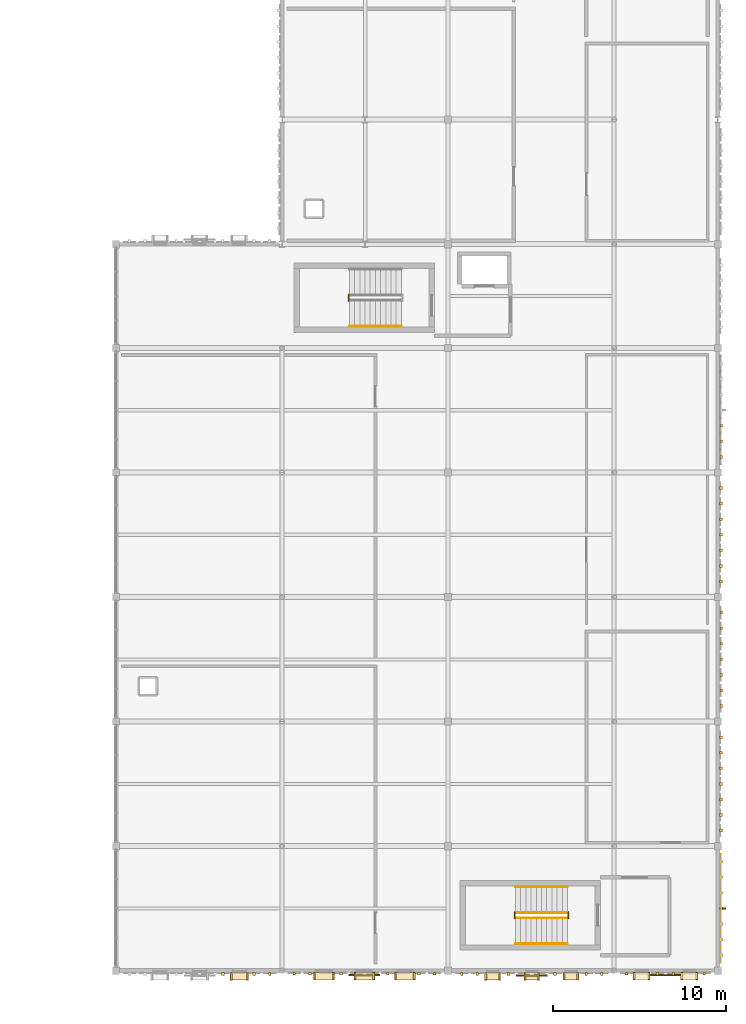
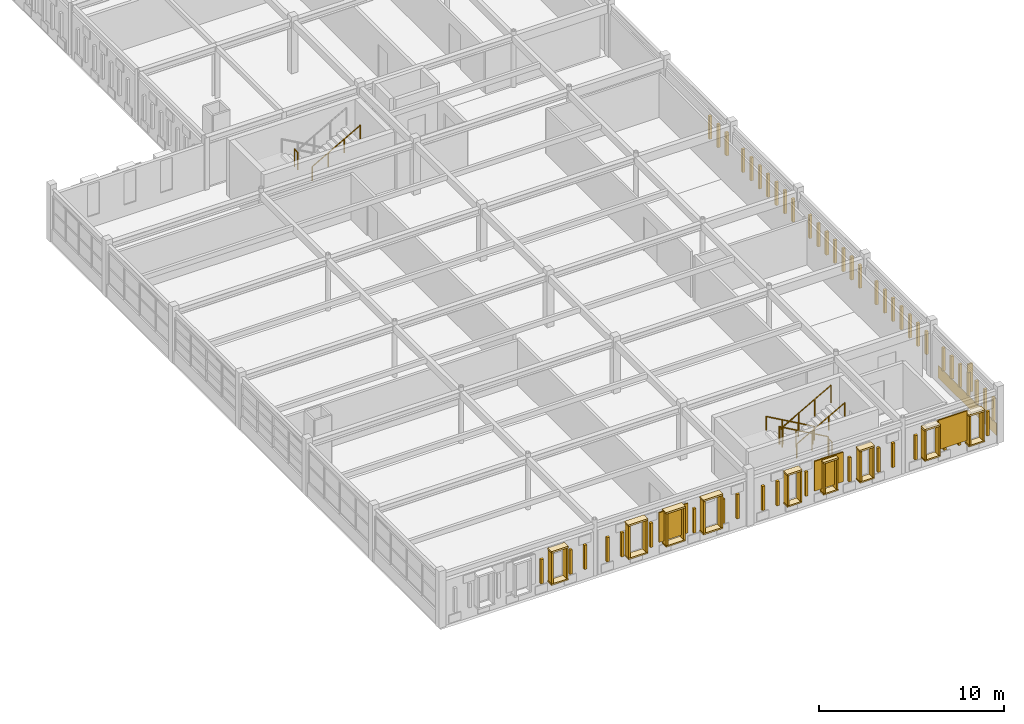
# One storey, part 40 of 46: 87 coverings, 8 railings, 4 shading devices.
"""IFC4 building model written with IfcOpenShell, lengths in metres."""

from ifc_helpers import new_model, si_unit, direction, frame, origin, origin_2d, place, context, subcontext, project, spatial, rectangle, circle, extrude, material, layer, layer_set, type_object, element, save


model = new_model("IFC4")

# Units and contexts
model_context = context("Model", 3, precision=1e-05, world=origin(), true_north=direction((0.0, 1.0)))
body_context = subcontext(model_context, "Body", "Model", "MODEL_VIEW")
ifc_project = project(units=[si_unit("LENGTHUNIT", "METRE"), si_unit("AREAUNIT", "SQUARE_METRE"), si_unit("VOLUMEUNIT", "CUBIC_METRE"), si_unit("PLANEANGLEUNIT", "RADIAN"), si_unit("MASSUNIT", "GRAM", prefix="KILO")], contexts=[model_context])

# Site, building, storey
site_placement = place(None, origin())
site = spatial("IfcSite", under=ifc_project, at=site_placement, CompositionType="ELEMENT")
building_placement = place(site_placement, origin())
building = spatial("IfcBuilding", under=site, at=building_placement, Name="Nzembalo Square Collegiate School", CompositionType="ELEMENT")
storey_placement = place(building_placement, frame((0.0, 0.0, 17.340087890625)))
storey = spatial("IfcBuildingStorey", under=building, at=storey_placement, Name="L04", CompositionType="ELEMENT", Elevation=17.340087890625)

# Coverings
ifc_material_1 = material(Name="Glazed cobalt ceramic patterned tile")
ifc_layer_1 = layer(ifc_material_1, 0.074951171875, Name="Glazed cobalt ceramic patterned tile")
ifc_layer_set_1 = layer_set([ifc_layer_1], Name="Glazed cobalt ceramic patterned tile")
covering_type_1 = type_object("IfcCoveringType", Name="CL01", PredefinedType="CLADDING", material=ifc_layer_set_1)
covering_1_placement = place(storey_placement, frame((165.737548828125, 12.0, 0.02001953125), z_axis=(0.0, 0.0, 1.0), x_axis=(1.0, 0.0, 0.0)))
element("IfcCovering", 1, at=covering_1_placement, inside=storey, type_object=covering_type_1, Name="Faience spandrel cladding CL01-0248", PredefinedType="CLADDING", context=body_context, shape_type="SweptSolid", body=[
    extrude(rectangle(XDim=0.034912109375, YDim=6.27587890625, at=origin_2d()), origin(), (0.0, 0.0, 1.0), 0.800048828125),
])
ifc_material_2 = material(Name="Glazed ochre ceramic lancet rib")
ifc_layer_2 = layer(ifc_material_2, 0.159912109375, Name="Glazed ochre ceramic lancet rib")
ifc_layer_set_2 = layer_set([ifc_layer_2], Name="Glazed ochre ceramic lancet rib")
covering_type_2 = type_object("IfcCoveringType", Name="CL02", PredefinedType="CLADDING", material=ifc_layer_set_2)
for number, where, z_axis, x_axis, name in (
    (2, (165.79248046875, 9.300048828125, 0.760009765625), (0.0, 0.0, 1.0), (1.0, 0.0, 0.0), "Gothic ceramic rib CL02-Y0248-0"),
    (3, (165.79248046875, 10.199951171875, 0.760009765625), (0.0, 0.0, 1.0), (1.0, 0.0, 0.0), "Gothic ceramic rib CL02-Y0248-1"),
    (4, (165.79248046875, 11.10009765625, 0.760009765625), (0.0, 0.0, 1.0), (1.0, 0.0, 0.0), "Gothic ceramic rib CL02-Y0248-2"),
    (5, (165.79248046875, 12.0, 0.760009765625), (0.0, 0.0, 1.0), (1.0, 0.0, 0.0), "Gothic ceramic rib CL02-Y0248-3"),
    (6, (165.79248046875, 12.89990234375, 0.760009765625), (0.0, 0.0, 1.0), (1.0, 0.0, 0.0), "Gothic ceramic rib CL02-Y0248-4"),
    (7, (165.79248046875, 13.800048828125, 0.760009765625), (0.0, 0.0, 1.0), (1.0, 0.0, 0.0), "Gothic ceramic rib CL02-Y0248-5"),
    (8, (165.79248046875, 14.699951171875, 0.760009765625), (0.0, 0.0, 1.0), (1.0, 0.0, 0.0), "Gothic ceramic rib CL02-Y0248-6"),
    (9, (165.777587890625, 16.5, 0.760009765625), (0.0, 0.0, 1.0), (1.0, 0.0, 0.0), "Gothic ceramic rib CL02-Y0249-0"),
    (10, (165.777587890625, 17.39990234375, 0.760009765625), (0.0, 0.0, 1.0), (1.0, 0.0, 0.0), "Gothic ceramic rib CL02-Y0249-1"),
    (11, (165.777587890625, 18.300048828125, 0.760009765625), (0.0, 0.0, 1.0), (1.0, 0.0, 0.0), "Gothic ceramic rib CL02-Y0249-2"),
    (12, (165.777587890625, 19.199951171875, 0.760009765625), (0.0, 0.0, 1.0), (1.0, 0.0, 0.0), "Gothic ceramic rib CL02-Y0249-3"),
    (13, (165.777587890625, 20.10009765625, 0.760009765625), (0.0, 0.0, 1.0), (1.0, 0.0, 0.0), "Gothic ceramic rib CL02-Y0249-4"),
    (14, (165.777587890625, 21.0, 0.760009765625), (0.0, 0.0, 1.0), (1.0, 0.0, 0.0), "Gothic ceramic rib CL02-Y0249-5"),
    (15, (165.777587890625, 21.89990234375, 0.760009765625), (0.0, 0.0, 1.0), (1.0, 0.0, 0.0), "Gothic ceramic rib CL02-Y0249-6"),
    (16, (165.79248046875, 23.699951171875, 0.760009765625), (0.0, 0.0, 1.0), (1.0, 0.0, 0.0), "Gothic ceramic rib CL02-Y0250-0"),
    (17, (165.79248046875, 24.60009765625, 0.760009765625), (0.0, 0.0, 1.0), (1.0, 0.0, 0.0), "Gothic ceramic rib CL02-Y0250-1"),
    (18, (165.79248046875, 25.5, 0.760009765625), (0.0, 0.0, 1.0), (1.0, 0.0, 0.0), "Gothic ceramic rib CL02-Y0250-2"),
    (19, (165.79248046875, 26.39990234375, 0.760009765625), (0.0, 0.0, 1.0), (1.0, 0.0, 0.0), "Gothic ceramic rib CL02-Y0250-3"),
    (20, (165.79248046875, 27.300048828125, 0.760009765625), (0.0, 0.0, 1.0), (1.0, 0.0, 0.0), "Gothic ceramic rib CL02-Y0250-4"),
    (21, (165.79248046875, 28.199951171875, 0.760009765625), (0.0, 0.0, 1.0), (1.0, 0.0, 0.0), "Gothic ceramic rib CL02-Y0250-5"),
    (22, (165.79248046875, 29.10009765625, 0.760009765625), (0.0, 0.0, 1.0), (1.0, 0.0, 0.0), "Gothic ceramic rib CL02-Y0250-6"),
    (23, (165.777587890625, 30.89990234375, 0.760009765625), (0.0, 0.0, 1.0), (1.0, 0.0, 0.0), "Gothic ceramic rib CL02-Y0251-0"),
    (24, (165.777587890625, 31.800048828125, 0.760009765625), (0.0, 0.0, 1.0), (1.0, 0.0, 0.0), "Gothic ceramic rib CL02-Y0251-1"),
    (25, (165.777587890625, 32.699951171875, 0.760009765625), (0.0, 0.0, 1.0), (1.0, 0.0, 0.0), "Gothic ceramic rib CL02-Y0251-2"),
    (26, (165.777587890625, 33.60009765625, 0.760009765625), (0.0, 0.0, 1.0), (1.0, 0.0, 0.0), "Gothic ceramic rib CL02-Y0251-3"),
    (27, (165.777587890625, 34.5, 0.760009765625), (0.0, 0.0, 1.0), (1.0, 0.0, 0.0), "Gothic ceramic rib CL02-Y0251-4"),
    (28, (165.777587890625, 35.39990234375, 0.760009765625), (0.0, 0.0, 1.0), (1.0, 0.0, 0.0), "Gothic ceramic rib CL02-Y0251-5"),
    (29, (165.777587890625, 36.300048828125, 0.760009765625), (0.0, 0.0, 1.0), (1.0, 0.0, 0.0), "Gothic ceramic rib CL02-Y0251-6"),
    (30, (165.79248046875, 38.10009765625, 0.760009765625), (0.0, 0.0, 1.0), (1.0, 0.0, 0.0), "Gothic ceramic rib CL02-Y0252-0"),
    (31, (165.79248046875, 39.0, 0.760009765625), (0.0, 0.0, 1.0), (1.0, 0.0, 0.0), "Gothic ceramic rib CL02-Y0252-1"),
    (32, (165.79248046875, 39.89990234375, 0.760009765625), (0.0, 0.0, 1.0), (1.0, 0.0, 0.0), "Gothic ceramic rib CL02-Y0252-2"),
):
    element("IfcCovering", number, at=place(storey_placement, frame(where, z_axis=z_axis, x_axis=x_axis)), inside=storey, type_object=covering_type_2, Name=name, PredefinedType="CLADDING", context=body_context, shape_type="SweptSolid", body=[
        extrude(rectangle(XDim=0.159912109375, YDim=0.159912109375, at=origin_2d()), origin(), (0.0, 0.0, 1.0), 1.51904296875),
    ])
for number, where, z_axis, x_axis, name in (
    (33, (136.98681640625, 8.20751953125, 0.759765625), (0.0, 0.0, 1.0), (1.0, 0.0, 0.0), "Gothic ceramic rib CL02-X0260-6"),
    (34, (138.78662109375, 8.20751953125, 0.759765625), (0.0, 0.0, 1.0), (1.0, 0.0, 0.0), "Gothic ceramic rib CL02-X0260-8"),
    (35, (139.686767578125, 8.20751953125, 0.759765625), (0.0, 0.0, 1.0), (1.0, 0.0, 0.0), "Gothic ceramic rib CL02-X0260-9"),
    (36, (141.11328125, 8.222412109375, 0.759765625), (0.0, 0.0, 1.0), (1.0, 0.0, 0.0), "Gothic ceramic rib CL02-X0261-0"),
    (37, (142.01318359375, 8.222412109375, 0.759765625), (0.0, 0.0, 1.0), (1.0, 0.0, 0.0), "Gothic ceramic rib CL02-X0261-1"),
    (38, (143.813232421875, 8.222412109375, 0.759765625), (0.0, 0.0, 1.0), (1.0, 0.0, 0.0), "Gothic ceramic rib CL02-X0261-3"),
    (39, (146.51318359375, 8.222412109375, 0.759765625), (0.0, 0.0, 1.0), (1.0, 0.0, 0.0), "Gothic ceramic rib CL02-X0261-6"),
    (40, (148.313232421875, 8.222412109375, 0.759765625), (0.0, 0.0, 1.0), (1.0, 0.0, 0.0), "Gothic ceramic rib CL02-X0261-8"),
    (41, (149.213134765625, 8.222412109375, 0.759765625), (0.0, 0.0, 1.0), (1.0, 0.0, 0.0), "Gothic ceramic rib CL02-X0261-9"),
    (42, (150.78662109375, 8.20751953125, 0.759765625), (0.0, 0.0, 1.0), (1.0, 0.0, 0.0), "Gothic ceramic rib CL02-X0262-0"),
    (43, (151.686767578125, 8.20751953125, 0.759765625), (0.0, 0.0, 1.0), (1.0, 0.0, 0.0), "Gothic ceramic rib CL02-X0262-1"),
    (44, (153.48681640625, 8.20751953125, 0.759765625), (0.0, 0.0, 1.0), (1.0, 0.0, 0.0), "Gothic ceramic rib CL02-X0262-3"),
    (45, (156.186767578125, 8.20751953125, 0.759765625), (0.0, 0.0, 1.0), (1.0, 0.0, 0.0), "Gothic ceramic rib CL02-X0262-6"),
    (46, (157.98681640625, 8.20751953125, 0.759765625), (0.0, 0.0, 1.0), (1.0, 0.0, 0.0), "Gothic ceramic rib CL02-X0262-8"),
    (47, (158.88671875, 8.20751953125, 0.759765625), (0.0, 0.0, 1.0), (1.0, 0.0, 0.0), "Gothic ceramic rib CL02-X0262-9"),
    (48, (160.313232421875, 8.222412109375, 0.759765625), (0.0, 0.0, 1.0), (1.0, 0.0, 0.0), "Gothic ceramic rib CL02-X0263-0"),
    (49, (162.11328125, 8.222412109375, 0.759765625), (0.0, 0.0, 1.0), (1.0, 0.0, 0.0), "Gothic ceramic rib CL02-X0263-2"),
    (50, (163.01318359375, 8.222412109375, 0.759765625), (0.0, 0.0, 1.0), (1.0, 0.0, 0.0), "Gothic ceramic rib CL02-X0263-3"),
    (51, (164.813232421875, 8.222412109375, 0.759765625), (0.0, 0.0, 1.0), (1.0, 0.0, 0.0), "Gothic ceramic rib CL02-X0263-5"),
):
    element("IfcCovering", number, at=place(storey_placement, frame(where, z_axis=z_axis, x_axis=x_axis)), inside=storey, type_object=covering_type_2, Name=name, PredefinedType="CLADDING", context=body_context, shape_type="SweptSolid", body=[
        extrude(rectangle(XDim=0.159912109375, YDim=0.159912109375, at=origin_2d()), origin(), (0.0, 0.0, 1.0), 1.59912109375),
    ])
ifc_material_3 = material(Name="Glazed celadon ceramic window frame")
ifc_layer_3 = layer(ifc_material_3, 0.419921875, Name="Glazed celadon ceramic window frame")
ifc_layer_set_3 = layer_set([ifc_layer_3], Name="Glazed celadon ceramic window frame")
covering_type_3 = type_object("IfcCoveringType", Name="WF01", PredefinedType="CLADDING", material=ifc_layer_set_3)
covering_2_placement = place(storey_placement, frame((137.93408203125, 8.072509765625, 2.77490234375), z_axis=(0.0, 0.0, 1.0), x_axis=(1.0, 0.0, 0.0)))
element("IfcCovering", 52, at=covering_2_placement, inside=storey, type_object=covering_type_3, Name="Deep lancet window hood WF01-0927", PredefinedType="CLADDING", context=body_context, shape_type="SweptSolid", body=[
    extrude(rectangle(XDim=1.06005859375, YDim=0.419921875, at=origin_2d()), origin(), (0.0, 0.0, 1.0), 0.110107421875),
])
covering_3_placement = place(storey_placement, frame((137.93408203125, 8.072509765625, 0.65478515625), z_axis=(0.0, 0.0, 1.0), x_axis=(1.0, 0.0, 0.0)))
element("IfcCovering", 53, at=covering_3_placement, inside=storey, type_object=covering_type_3, Name="Deep lancet window sill WF01-0927", PredefinedType="CLADDING", context=body_context, shape_type="SweptSolid", body=[
    extrude(rectangle(XDim=1.06005859375, YDim=0.419921875, at=origin_2d()), origin(), (0.0, 0.0, 1.0), 0.090087890625),
])
for number, where, z_axis, x_axis, name in (
    (54, (137.468994140625, 8.072509765625, 0.75), (0.0, 0.0, 1.0), (1.0, 0.0, 0.0), "Deep lancet window jamb WF01-0927L"),
    (55, (138.399169921875, 8.072509765625, 0.75), (0.0, 0.0, 1.0), (1.0, 0.0, 0.0), "Deep lancet window jamb WF01-0927R"),
):
    element("IfcCovering", number, at=place(storey_placement, frame(where, z_axis=z_axis, x_axis=x_axis)), inside=storey, type_object=covering_type_3, Name=name, PredefinedType="CLADDING", context=body_context, shape_type="SweptSolid", body=[
        extrude(rectangle(XDim=0.10009765625, YDim=0.419921875, at=origin_2d()), origin(), (0.0, 0.0, 1.0), 2.02001953125),
    ])
covering_4_placement = place(storey_placement, frame((142.825927734375, 8.08740234375, 2.8349609375), z_axis=(0.0, 0.0, 1.0), x_axis=(1.0, 0.0, 0.0)))
element("IfcCovering", 56, at=covering_4_placement, inside=storey, type_object=covering_type_3, Name="Deep lancet window hood WF01-0928", PredefinedType="CLADDING", context=body_context, shape_type="SweptSolid", body=[
    extrude(rectangle(XDim=1.219970703125, YDim=0.419921875, at=origin_2d()), origin(), (0.0, 0.0, 1.0), 0.110107421875),
])
covering_5_placement = place(storey_placement, frame((142.825927734375, 8.08740234375, 0.65478515625), z_axis=(0.0, 0.0, 1.0), x_axis=(1.0, 0.0, 0.0)))
element("IfcCovering", 57, at=covering_5_placement, inside=storey, type_object=covering_type_3, Name="Deep lancet window sill WF01-0928", PredefinedType="CLADDING", context=body_context, shape_type="SweptSolid", body=[
    extrude(rectangle(XDim=1.219970703125, YDim=0.419921875, at=origin_2d()), origin(), (0.0, 0.0, 1.0), 0.090087890625),
])
for number, where, z_axis, x_axis, name in (
    (58, (142.281005859375, 8.08740234375, 0.749755859375), (0.0, 0.0, 1.0), (1.0, 0.0, 0.0), "Deep lancet window jamb WF01-0928L"),
    (59, (143.370849609375, 8.08740234375, 0.749755859375), (0.0, 0.0, 1.0), (1.0, 0.0, 0.0), "Deep lancet window jamb WF01-0928R"),
):
    element("IfcCovering", number, at=place(storey_placement, frame(where, z_axis=z_axis, x_axis=x_axis)), inside=storey, type_object=covering_type_3, Name=name, PredefinedType="CLADDING", context=body_context, shape_type="SweptSolid", body=[
        extrude(rectangle(XDim=0.10009765625, YDim=0.419921875, at=origin_2d()), origin(), (0.0, 0.0, 1.0), 2.080078125),
    ])
covering_6_placement = place(storey_placement, frame((145.1630859375, 8.08740234375, 2.8349609375), z_axis=(0.0, 0.0, 1.0), x_axis=(1.0, 0.0, 0.0)))
element("IfcCovering", 60, at=covering_6_placement, inside=storey, type_object=covering_type_3, Name="Deep lancet window hood WF01-0929", PredefinedType="CLADDING", context=body_context, shape_type="SweptSolid", body=[
    extrude(rectangle(XDim=1.219970703125, YDim=0.419921875, at=origin_2d()), origin(), (0.0, 0.0, 1.0), 0.110107421875),
])
covering_7_placement = place(storey_placement, frame((145.1630859375, 8.08740234375, 0.65478515625), z_axis=(0.0, 0.0, 1.0), x_axis=(1.0, 0.0, 0.0)))
element("IfcCovering", 61, at=covering_7_placement, inside=storey, type_object=covering_type_3, Name="Deep lancet window sill WF01-0929", PredefinedType="CLADDING", context=body_context, shape_type="SweptSolid", body=[
    extrude(rectangle(XDim=1.219970703125, YDim=0.419921875, at=origin_2d()), origin(), (0.0, 0.0, 1.0), 0.090087890625),
])
for number, where, z_axis, x_axis, name in (
    (62, (144.6181640625, 8.08740234375, 0.749755859375), (0.0, 0.0, 1.0), (1.0, 0.0, 0.0), "Deep lancet window jamb WF01-0929L"),
    (63, (145.708251953125, 8.08740234375, 0.749755859375), (0.0, 0.0, 1.0), (1.0, 0.0, 0.0), "Deep lancet window jamb WF01-0929R"),
):
    element("IfcCovering", number, at=place(storey_placement, frame(where, z_axis=z_axis, x_axis=x_axis)), inside=storey, type_object=covering_type_3, Name=name, PredefinedType="CLADDING", context=body_context, shape_type="SweptSolid", body=[
        extrude(rectangle(XDim=0.10009765625, YDim=0.419921875, at=origin_2d()), origin(), (0.0, 0.0, 1.0), 2.080078125),
    ])
covering_8_placement = place(storey_placement, frame((147.50048828125, 8.08740234375, 2.8349609375), z_axis=(0.0, 0.0, 1.0), x_axis=(1.0, 0.0, 0.0)))
element("IfcCovering", 64, at=covering_8_placement, inside=storey, type_object=covering_type_3, Name="Deep lancet window hood WF01-0930", PredefinedType="CLADDING", context=body_context, shape_type="SweptSolid", body=[
    extrude(rectangle(XDim=1.219970703125, YDim=0.419921875, at=origin_2d()), origin(), (0.0, 0.0, 1.0), 0.110107421875),
])
covering_9_placement = place(storey_placement, frame((147.50048828125, 8.08740234375, 0.65478515625), z_axis=(0.0, 0.0, 1.0), x_axis=(1.0, 0.0, 0.0)))
element("IfcCovering", 65, at=covering_9_placement, inside=storey, type_object=covering_type_3, Name="Deep lancet window sill WF01-0930", PredefinedType="CLADDING", context=body_context, shape_type="SweptSolid", body=[
    extrude(rectangle(XDim=1.219970703125, YDim=0.419921875, at=origin_2d()), origin(), (0.0, 0.0, 1.0), 0.090087890625),
])
for number, where, z_axis, x_axis, name in (
    (66, (146.95556640625, 8.08740234375, 0.749755859375), (0.0, 0.0, 1.0), (1.0, 0.0, 0.0), "Deep lancet window jamb WF01-0930L"),
    (67, (148.045654296875, 8.08740234375, 0.749755859375), (0.0, 0.0, 1.0), (1.0, 0.0, 0.0), "Deep lancet window jamb WF01-0930R"),
):
    element("IfcCovering", number, at=place(storey_placement, frame(where, z_axis=z_axis, x_axis=x_axis)), inside=storey, type_object=covering_type_3, Name=name, PredefinedType="CLADDING", context=body_context, shape_type="SweptSolid", body=[
        extrude(rectangle(XDim=0.10009765625, YDim=0.419921875, at=origin_2d()), origin(), (0.0, 0.0, 1.0), 2.080078125),
    ])
covering_10_placement = place(storey_placement, frame((152.574462890625, 8.072509765625, 2.71484375), z_axis=(0.0, 0.0, 1.0), x_axis=(1.0, 0.0, 0.0)))
element("IfcCovering", 68, at=covering_10_placement, inside=storey, type_object=covering_type_3, Name="Deep lancet window hood WF01-0947", PredefinedType="CLADDING", context=body_context, shape_type="SweptSolid", body=[
    extrude(rectangle(XDim=0.919921875, YDim=0.419921875, at=origin_2d()), origin(), (0.0, 0.0, 1.0), 0.110107421875),
])
covering_11_placement = place(storey_placement, frame((152.574462890625, 8.072509765625, 0.65478515625), z_axis=(0.0, 0.0, 1.0), x_axis=(1.0, 0.0, 0.0)))
element("IfcCovering", 69, at=covering_11_placement, inside=storey, type_object=covering_type_3, Name="Deep lancet window sill WF01-0947", PredefinedType="CLADDING", context=body_context, shape_type="SweptSolid", body=[
    extrude(rectangle(XDim=0.919921875, YDim=0.419921875, at=origin_2d()), origin(), (0.0, 0.0, 1.0), 0.090087890625),
])
for number, where, z_axis, x_axis, name in (
    (70, (152.179443359375, 8.072509765625, 0.75), (0.0, 0.0, 1.0), (1.0, 0.0, 0.0), "Deep lancet window jamb WF01-0947L"),
    (71, (152.969482421875, 8.072509765625, 0.75), (0.0, 0.0, 1.0), (1.0, 0.0, 0.0), "Deep lancet window jamb WF01-0947R"),
):
    element("IfcCovering", number, at=place(storey_placement, frame(where, z_axis=z_axis, x_axis=x_axis)), inside=storey, type_object=covering_type_3, Name=name, PredefinedType="CLADDING", context=body_context, shape_type="SweptSolid", body=[
        extrude(rectangle(XDim=0.10009765625, YDim=0.419921875, at=origin_2d()), origin(), (0.0, 0.0, 1.0), 1.9599609375),
    ])
covering_12_placement = place(storey_placement, frame((154.836669921875, 8.072509765625, 2.71484375), z_axis=(0.0, 0.0, 1.0), x_axis=(1.0, 0.0, 0.0)))
element("IfcCovering", 72, at=covering_12_placement, inside=storey, type_object=covering_type_3, Name="Deep lancet window hood WF01-0948", PredefinedType="CLADDING", context=body_context, shape_type="SweptSolid", body=[
    extrude(rectangle(XDim=0.919921875, YDim=0.419921875, at=origin_2d()), origin(), (0.0, 0.0, 1.0), 0.110107421875),
])
covering_13_placement = place(storey_placement, frame((154.836669921875, 8.072509765625, 0.65478515625), z_axis=(0.0, 0.0, 1.0), x_axis=(1.0, 0.0, 0.0)))
element("IfcCovering", 73, at=covering_13_placement, inside=storey, type_object=covering_type_3, Name="Deep lancet window sill WF01-0948", PredefinedType="CLADDING", context=body_context, shape_type="SweptSolid", body=[
    extrude(rectangle(XDim=0.919921875, YDim=0.419921875, at=origin_2d()), origin(), (0.0, 0.0, 1.0), 0.090087890625),
])
for number, where, z_axis, x_axis, name in (
    (74, (154.441650390625, 8.072509765625, 0.75), (0.0, 0.0, 1.0), (1.0, 0.0, 0.0), "Deep lancet window jamb WF01-0948L"),
    (75, (155.231689453125, 8.072509765625, 0.75), (0.0, 0.0, 1.0), (1.0, 0.0, 0.0), "Deep lancet window jamb WF01-0948R"),
):
    element("IfcCovering", number, at=place(storey_placement, frame(where, z_axis=z_axis, x_axis=x_axis)), inside=storey, type_object=covering_type_3, Name=name, PredefinedType="CLADDING", context=body_context, shape_type="SweptSolid", body=[
        extrude(rectangle(XDim=0.10009765625, YDim=0.419921875, at=origin_2d()), origin(), (0.0, 0.0, 1.0), 1.9599609375),
    ])
covering_14_placement = place(storey_placement, frame((157.09912109375, 8.072509765625, 2.71484375), z_axis=(0.0, 0.0, 1.0), x_axis=(1.0, 0.0, 0.0)))
element("IfcCovering", 76, at=covering_14_placement, inside=storey, type_object=covering_type_3, Name="Deep lancet window hood WF01-0949", PredefinedType="CLADDING", context=body_context, shape_type="SweptSolid", body=[
    extrude(rectangle(XDim=0.919921875, YDim=0.419921875, at=origin_2d()), origin(), (0.0, 0.0, 1.0), 0.110107421875),
])
covering_15_placement = place(storey_placement, frame((157.09912109375, 8.072509765625, 0.65478515625), z_axis=(0.0, 0.0, 1.0), x_axis=(1.0, 0.0, 0.0)))
element("IfcCovering", 77, at=covering_15_placement, inside=storey, type_object=covering_type_3, Name="Deep lancet window sill WF01-0949", PredefinedType="CLADDING", context=body_context, shape_type="SweptSolid", body=[
    extrude(rectangle(XDim=0.919921875, YDim=0.419921875, at=origin_2d()), origin(), (0.0, 0.0, 1.0), 0.090087890625),
])
for number, where, z_axis, x_axis, name in (
    (78, (156.7041015625, 8.072509765625, 0.75), (0.0, 0.0, 1.0), (1.0, 0.0, 0.0), "Deep lancet window jamb WF01-0949L"),
    (79, (157.494140625, 8.072509765625, 0.75), (0.0, 0.0, 1.0), (1.0, 0.0, 0.0), "Deep lancet window jamb WF01-0949R"),
):
    element("IfcCovering", number, at=place(storey_placement, frame(where, z_axis=z_axis, x_axis=x_axis)), inside=storey, type_object=covering_type_3, Name=name, PredefinedType="CLADDING", context=body_context, shape_type="SweptSolid", body=[
        extrude(rectangle(XDim=0.10009765625, YDim=0.419921875, at=origin_2d()), origin(), (0.0, 0.0, 1.0), 1.9599609375),
    ])
covering_16_placement = place(storey_placement, frame((161.183349609375, 8.08740234375, 2.65478515625), z_axis=(0.0, 0.0, 1.0), x_axis=(1.0, 0.0, 0.0)))
element("IfcCovering", 80, at=covering_16_placement, inside=storey, type_object=covering_type_3, Name="Deep lancet window hood WF01-0964", PredefinedType="CLADDING", context=body_context, shape_type="SweptSolid", body=[
    extrude(rectangle(XDim=0.989990234375, YDim=0.419921875, at=origin_2d()), origin(), (0.0, 0.0, 1.0), 0.110107421875),
])
covering_17_placement = place(storey_placement, frame((161.183349609375, 8.08740234375, 0.65478515625), z_axis=(0.0, 0.0, 1.0), x_axis=(1.0, 0.0, 0.0)))
element("IfcCovering", 81, at=covering_17_placement, inside=storey, type_object=covering_type_3, Name="Deep lancet window sill WF01-0964", PredefinedType="CLADDING", context=body_context, shape_type="SweptSolid", body=[
    extrude(rectangle(XDim=0.989990234375, YDim=0.419921875, at=origin_2d()), origin(), (0.0, 0.0, 1.0), 0.090087890625),
])
for number, where, z_axis, x_axis, name in (
    (82, (160.75341796875, 8.08740234375, 0.75), (0.0, 0.0, 1.0), (1.0, 0.0, 0.0), "Deep lancet window jamb WF01-0964L"),
    (83, (161.61328125, 8.08740234375, 0.75), (0.0, 0.0, 1.0), (1.0, 0.0, 0.0), "Deep lancet window jamb WF01-0964R"),
):
    element("IfcCovering", number, at=place(storey_placement, frame(where, z_axis=z_axis, x_axis=x_axis)), inside=storey, type_object=covering_type_3, Name=name, PredefinedType="CLADDING", context=body_context, shape_type="SweptSolid", body=[
        extrude(rectangle(XDim=0.10009765625, YDim=0.419921875, at=origin_2d()), origin(), (0.0, 0.0, 1.0), 1.89990234375),
    ])
covering_18_placement = place(storey_placement, frame((163.943115234375, 8.08740234375, 2.65478515625), z_axis=(0.0, 0.0, 1.0), x_axis=(1.0, 0.0, 0.0)))
element("IfcCovering", 84, at=covering_18_placement, inside=storey, type_object=covering_type_3, Name="Deep lancet window hood WF01-0965", PredefinedType="CLADDING", context=body_context, shape_type="SweptSolid", body=[
    extrude(rectangle(XDim=0.989990234375, YDim=0.419921875, at=origin_2d()), origin(), (0.0, 0.0, 1.0), 0.110107421875),
])
covering_19_placement = place(storey_placement, frame((163.943115234375, 8.08740234375, 0.65478515625), z_axis=(0.0, 0.0, 1.0), x_axis=(1.0, 0.0, 0.0)))
element("IfcCovering", 85, at=covering_19_placement, inside=storey, type_object=covering_type_3, Name="Deep lancet window sill WF01-0965", PredefinedType="CLADDING", context=body_context, shape_type="SweptSolid", body=[
    extrude(rectangle(XDim=0.989990234375, YDim=0.419921875, at=origin_2d()), origin(), (0.0, 0.0, 1.0), 0.090087890625),
])
for number, where, z_axis, x_axis, name in (
    (86, (163.51318359375, 8.08740234375, 0.75), (0.0, 0.0, 1.0), (1.0, 0.0, 0.0), "Deep lancet window jamb WF01-0965L"),
    (87, (164.373046875, 8.08740234375, 0.75), (0.0, 0.0, 1.0), (1.0, 0.0, 0.0), "Deep lancet window jamb WF01-0965R"),
):
    element("IfcCovering", number, at=place(storey_placement, frame(where, z_axis=z_axis, x_axis=x_axis)), inside=storey, type_object=covering_type_3, Name=name, PredefinedType="CLADDING", context=body_context, shape_type="SweptSolid", body=[
        extrude(rectangle(XDim=0.10009765625, YDim=0.419921875, at=origin_2d()), origin(), (0.0, 0.0, 1.0), 1.89990234375),
    ])

# Railings
ifc_material_4 = material(Name="Steel S355", Category="steel")
railing_type_1 = type_object("IfcRailingType", Name="GR01", PredefinedType="GUARDRAIL", material=ifc_material_4)
railing_1_placement = place(storey_placement, frame((144.25, 47.1201171875, 1.864990234375)))
element("IfcRailing", 88, at=railing_1_placement, inside=storey, type_object=railing_type_1, Name="Stair guard GR-23-2", PredefinedType="GUARDRAIL", context=body_context, shape_type="SweptSolid", body=[
    extrude(circle(Radius=0.02392578125, at=origin_2d()), frame((0.0, 0.0, 1.1259765625), z_axis=(0.0, 1.0, 0.0), x_axis=(-1.0, 0.0, 0.0)), (0.0, 0.0, 1.0), 0.35986328125),
    extrude(circle(Radius=0.02099609375, at=origin_2d()), origin(), (0.0, 0.0, 1.0), 1.101806640625),
    extrude(circle(Radius=0.02099609375, at=origin_2d()), frame((0.0, 0.35986328125, 0.0)), (0.0, 0.0, 1.0), 1.101806640625),
])
railing_2_placement = place(storey_placement, frame((156.89990234375, 11.75, 0.159912109375)))
element("IfcRailing", 89, at=railing_2_placement, inside=storey, type_object=railing_type_1, Name="Stair guard GR-28-1", PredefinedType="GUARDRAIL", context=body_context, shape_type="SweptSolid", body=[
    extrude(circle(Radius=0.02392578125, at=origin_2d()), frame((0.0, 0.0, 1.1259765625), z_axis=(-0.870028259722, 0.0, 0.493001853226), x_axis=(0.0, -1.0, 0.0)), (0.0, 0.0, 1.0), 3.4482421875),
    extrude(circle(Radius=0.02099609375, at=origin_2d()), origin(), (0.0, 0.0, 1.0), 1.101806640625),
    extrude(circle(Radius=0.02099609375, at=origin_2d()), frame((-1.0, 0.0, 0.566650390625)), (0.0, 0.0, 1.0), 1.101806640625),
    extrude(circle(Radius=0.02099609375, at=origin_2d()), frame((-2.0, 0.0, 1.13330078125)), (0.0, 0.0, 1.0), 1.101806640625),
    extrude(circle(Radius=0.02099609375, at=origin_2d()), frame((-3.0, 0.0, 1.699951171875)), (0.0, 0.0, 1.0), 1.101806640625),
])
railing_3_placement = place(storey_placement, frame((153.85009765625, 11.419921875, 1.864990234375)))
element("IfcRailing", 90, at=railing_3_placement, inside=storey, type_object=railing_type_1, Name="Stair guard GR-28-2", PredefinedType="GUARDRAIL", context=body_context, shape_type="SweptSolid", body=[
    extrude(circle(Radius=0.02392578125, at=origin_2d()), frame((0.0, 0.0, 1.1259765625), z_axis=(0.0, 1.0, 0.0), x_axis=(-1.0, 0.0, 0.0)), (0.0, 0.0, 1.0), 0.360107421875),
    extrude(circle(Radius=0.02099609375, at=origin_2d()), origin(), (0.0, 0.0, 1.0), 1.101806640625),
    extrude(circle(Radius=0.02099609375, at=origin_2d()), frame((0.0, 0.360107421875, 0.0)), (0.0, 0.0, 1.0), 1.101806640625),
])
railing_4_placement = place(storey_placement, frame((153.89990234375, 11.449951171875, 2.030029296875)))
element("IfcRailing", 91, at=railing_4_placement, inside=storey, type_object=railing_type_1, Name="Stair guard GR-28-3", PredefinedType="GUARDRAIL", context=body_context, shape_type="SweptSolid", body=[
    extrude(circle(Radius=0.02392578125, at=origin_2d()), frame((0.0, 0.0, 1.1259765625), z_axis=(0.870028259722, 0.0, 0.493001853226), x_axis=(0.0, 1.0, 0.0)), (0.0, 0.0, 1.0), 3.4482421875),
    extrude(circle(Radius=0.02099609375, at=origin_2d()), origin(), (0.0, 0.0, 1.0), 1.101806640625),
    extrude(circle(Radius=0.02099609375, at=origin_2d()), frame((1.0, 0.0, 0.566650390625)), (0.0, 0.0, 1.0), 1.101806640625),
    extrude(circle(Radius=0.02099609375, at=origin_2d()), frame((2.0, 0.0, 1.13330078125)), (0.0, 0.0, 1.0), 1.101806640625),
    extrude(circle(Radius=0.02099609375, at=origin_2d()), frame((3.0, 0.0, 1.699951171875)), (0.0, 0.0, 1.0), 1.101806640625),
])
railing_5_placement = place(storey_placement, frame((156.949951171875, 11.419921875, -0.005126953125)))
element("IfcRailing", 92, at=railing_5_placement, inside=storey, type_object=railing_type_1, Name="Stair guard GR-28-4", PredefinedType="GUARDRAIL", context=body_context, shape_type="SweptSolid", body=[
    extrude(circle(Radius=0.02392578125, at=origin_2d()), frame((0.0, 0.0, 1.1259765625), z_axis=(0.0, 1.0, 0.0), x_axis=(-1.0, 0.0, 0.0)), (0.0, 0.0, 1.0), 0.360107421875),
    extrude(circle(Radius=0.02099609375, at=origin_2d()), origin(), (0.0, 0.0, 1.0), 1.101806640625),
    extrude(circle(Radius=0.02099609375, at=origin_2d()), frame((0.0, 0.360107421875, 0.0)), (0.0, 0.0, 1.0), 1.101806640625),
])
ifc_material_5 = material(Name="Steel S355", Category="steel")
railing_type_2 = type_object("IfcRailingType", Name="HR01", PredefinedType="HANDRAIL", material=ifc_material_5)
railing_6_placement = place(storey_placement, frame((144.300048828125, 45.64990234375, 2.030029296875)))
element("IfcRailing", 93, at=railing_6_placement, inside=storey, type_object=railing_type_2, Name="Stair handrail HR-23-2", PredefinedType="HANDRAIL", context=body_context, shape_type="SweptSolid", body=[
    extrude(circle(Radius=0.02392578125, at=origin_2d()), frame((0.0, 0.0, 0.89599609375), z_axis=(0.870028259722, 0.0, 0.493001853226), x_axis=(0.0, 1.0, 0.0)), (0.0, 0.0, 1.0), 3.4482421875),
    extrude(circle(Radius=0.02099609375, at=origin_2d()), origin(), (0.0, 0.0, 1.0), 0.871826171875),
    extrude(circle(Radius=0.02099609375, at=origin_2d()), frame((1.0, 0.0, 0.566650390625)), (0.0, 0.0, 1.0), 0.871826171875),
    extrude(circle(Radius=0.02099609375, at=origin_2d()), frame((2.0, 0.0, 1.13330078125)), (0.0, 0.0, 1.0), 0.871826171875),
    extrude(circle(Radius=0.02099609375, at=origin_2d()), frame((3.0, 0.0, 1.699951171875)), (0.0, 0.0, 1.0), 0.871826171875),
])
railing_7_placement = place(storey_placement, frame((156.89990234375, 13.25, 0.159912109375)))
element("IfcRailing", 94, at=railing_7_placement, inside=storey, type_object=railing_type_2, Name="Stair handrail HR-28-1", PredefinedType="HANDRAIL", context=body_context, shape_type="SweptSolid", body=[
    extrude(circle(Radius=0.02392578125, at=origin_2d()), frame((0.0, 0.0, 0.89599609375), z_axis=(-0.870028259722, 0.0, 0.493001853226), x_axis=(0.0, -1.0, 0.0)), (0.0, 0.0, 1.0), 3.4482421875),
    extrude(circle(Radius=0.02099609375, at=origin_2d()), origin(), (0.0, 0.0, 1.0), 0.871826171875),
    extrude(circle(Radius=0.02099609375, at=origin_2d()), frame((-1.0, 0.0, 0.566650390625)), (0.0, 0.0, 1.0), 0.871826171875),
    extrude(circle(Radius=0.02099609375, at=origin_2d()), frame((-2.0, 0.0, 1.13330078125)), (0.0, 0.0, 1.0), 0.871826171875),
    extrude(circle(Radius=0.02099609375, at=origin_2d()), frame((-3.0, 0.0, 1.699951171875)), (0.0, 0.0, 1.0), 0.871826171875),
])
railing_8_placement = place(storey_placement, frame((153.89990234375, 9.949951171875, 2.030029296875)))
element("IfcRailing", 95, at=railing_8_placement, inside=storey, type_object=railing_type_2, Name="Stair handrail HR-28-2", PredefinedType="HANDRAIL", context=body_context, shape_type="SweptSolid", body=[
    extrude(circle(Radius=0.02392578125, at=origin_2d()), frame((0.0, 0.0, 0.89599609375), z_axis=(0.870028259722, 0.0, 0.493001853226), x_axis=(0.0, 1.0, 0.0)), (0.0, 0.0, 1.0), 3.4482421875),
    extrude(circle(Radius=0.02099609375, at=origin_2d()), origin(), (0.0, 0.0, 1.0), 0.871826171875),
    extrude(circle(Radius=0.02099609375, at=origin_2d()), frame((1.0, 0.0, 0.566650390625)), (0.0, 0.0, 1.0), 0.871826171875),
    extrude(circle(Radius=0.02099609375, at=origin_2d()), frame((2.0, 0.0, 1.13330078125)), (0.0, 0.0, 1.0), 0.871826171875),
    extrude(circle(Radius=0.02099609375, at=origin_2d()), frame((3.0, 0.0, 1.699951171875)), (0.0, 0.0, 1.0), 0.871826171875),
])

# Shading devices
ifc_material_6 = material(Name="Glazed ochre ceramic vertical fin")
shading_device_type_1 = type_object("IfcShadingDeviceType", Name="JL01", PredefinedType="JALOUSIE", material=ifc_material_6)
shading_device_1_placement = place(storey_placement, frame((165.87744140625, 12.0, 0.9501953125), z_axis=(0.0, 0.0, 1.0), x_axis=(1.0, 0.0, 0.0)))
element("IfcShadingDevice", 96, at=shading_device_1_placement, inside=storey, type_object=shading_device_type_1, Name="Ceramic fin JL01-0248", PredefinedType="JALOUSIE", context=body_context, shape_type="SweptSolid", body=[
    extrude(rectangle(XDim=0.320068359375, YDim=0.090087890625, at=origin_2d()), origin(), (0.0, 0.0, 1.0), 1.868896484375),
])
ifc_material_7 = material(Name="Glazed cobalt ceramic lancet screen")
ifc_layer_4 = layer(ifc_material_7, 0.080078125, Name="Glazed cobalt ceramic lancet screen")
ifc_layer_set_4 = layer_set([ifc_layer_4], Name="Glazed cobalt ceramic lancet screen")
shading_device_type_2 = type_object("IfcShadingDeviceType", Name="SC01", PredefinedType="USERDEFINED", material=ifc_layer_set_4)
shading_device_2_placement = place(storey_placement, frame((154.836669921875, 8.12744140625, 0.94970703125), z_axis=(0.0, 0.0, 1.0), x_axis=(1.0, 0.0, 0.0)))
element("IfcShadingDevice", 97, at=shading_device_2_placement, inside=storey, type_object=shading_device_type_2, Name="Ceramic lancet screen SC01-031", ObjectType="SCREEN", PredefinedType="USERDEFINED", context=body_context, shape_type="SweptSolid", body=[
    extrude(rectangle(XDim=1.800048828125, YDim=0.080078125, at=origin_2d()), origin(), (0.0, 0.0, 1.0), 1.948974609375),
])
ifc_material_8 = material(Name="Glazed celadon ceramic lancet screen")
ifc_layer_5 = layer(ifc_material_8, 0.080078125, Name="Glazed celadon ceramic lancet screen")
ifc_layer_set_5 = layer_set([ifc_layer_5], Name="Glazed celadon ceramic lancet screen")
shading_device_type_3 = type_object("IfcShadingDeviceType", Name="SC02", PredefinedType="USERDEFINED", material=ifc_layer_set_5)
for number, where, z_axis, x_axis, name in (
    (98, (145.163330078125, 8.142578125, 0.94970703125), (0.0, 0.0, 1.0), (1.0, 0.0, 0.0), "Ceramic lancet screen SC02-030"),
    (99, (162.563232421875, 8.142578125, 0.94970703125), (0.0, 0.0, 1.0), (1.0, 0.0, 0.0), "Ceramic lancet screen SC02-032"),
):
    element("IfcShadingDevice", number, at=place(storey_placement, frame(where, z_axis=z_axis, x_axis=x_axis)), inside=storey, type_object=shading_device_type_3, Name=name, ObjectType="SCREEN", PredefinedType="USERDEFINED", context=body_context, shape_type="SweptSolid", body=[
        extrude(rectangle(XDim=1.800048828125, YDim=0.080078125, at=origin_2d()), origin(), (0.0, 0.0, 1.0), 1.948974609375),
    ])

save(model, "model.ifc")
